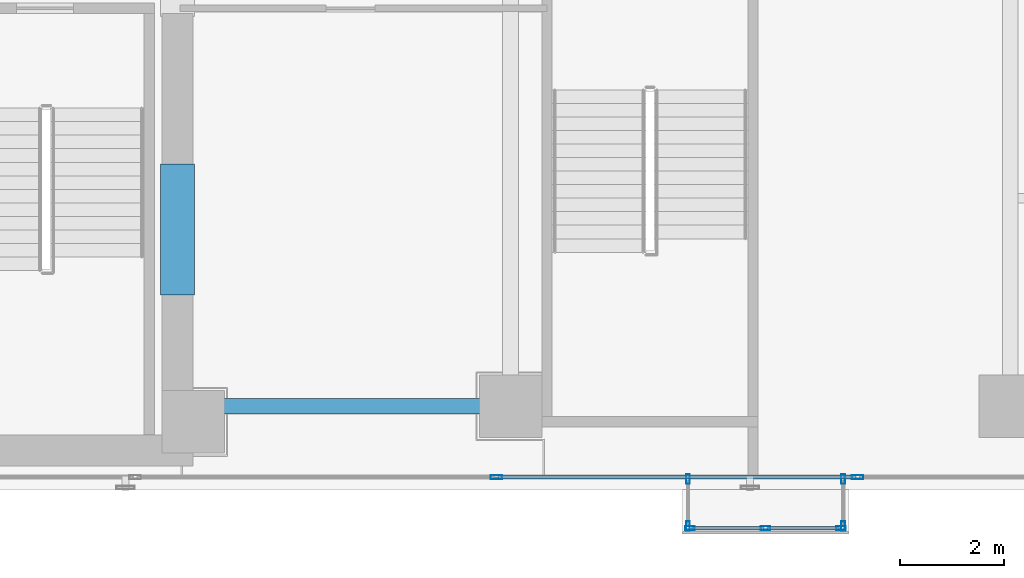
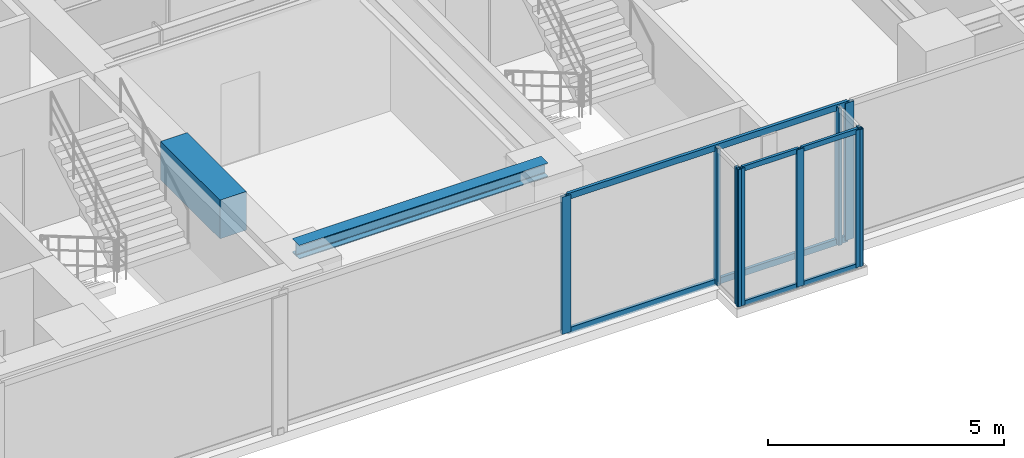
# One storey, part 4 of 24: 15 members, 2 beams, 4 elements without a shape of their own.
"""IFC4 building model written with IfcOpenShell, lengths in metres."""

from ifc_helpers import new_model, si_unit, direction, frame, origin, origin_with_axes, origin_2d, place, context, subcontext, project, spatial, rectangle, hollow_rectangle, i_section, extrude, source, transform, mapped, material, layer, layer_set, material_profile, profile_set, type_object, element, aggregate, save


model = new_model("IFC4")

# Units and contexts
model_context = context("Model", 3, precision=1e-05, world=origin(), true_north=direction((0.0, 1.0)))
body_context = subcontext(model_context, "Body", "Model", "MODEL_VIEW")
ifc_project = project(units=[si_unit("LENGTHUNIT", "METRE"), si_unit("AREAUNIT", "SQUARE_METRE"), si_unit("VOLUMEUNIT", "CUBIC_METRE"), si_unit("PLANEANGLEUNIT", "RADIAN"), si_unit("MASSUNIT", "GRAM", prefix="KILO")], contexts=[model_context])

# Site, building, storey
site_placement = place(None, origin())
site = spatial("IfcSite", under=ifc_project, at=site_placement, CompositionType="ELEMENT")
building_placement = place(site_placement, origin())
building = spatial("IfcBuilding", under=site, at=building_placement, Name="Kolvaren Waterfront Exchange", CompositionType="ELEMENT")
storey_placement = place(building_placement, frame((0.0, 0.0, 172.800048828125)))
storey = spatial("IfcBuildingStorey", under=building, at=storey_placement, Name="L44", CompositionType="ELEMENT", Elevation=172.800048828125)

# Beams
ifc_material_1 = material(Name="Steel S355", Category="steel")
ifc_material_profile_1 = material_profile(ifc_material_1, i_section(OverallWidth=0.300048828125, OverallDepth=0.360107421875, WebThickness=0.012451171875, FlangeThickness=0.0224609375, FilletRadius=0.027099609375, at=origin_2d()), Name="HEB360")
ifc_profile_set_1 = profile_set([ifc_material_profile_1], Name="Steel S355")
beam_type_1 = type_object("IfcBeamType", Name="STR-BM-HEB360", PredefinedType="SPANDREL", material=ifc_profile_set_1)
beam_1_placement = place(storey_placement, frame((21.10009765625, 5.199951171875, 3.3798828125), z_axis=(1.0, 0.0, 0.0), x_axis=(0.0, 1.0, 0.0)))
element("IfcBeam", 1, at=beam_1_placement, inside=storey, type_object=beam_type_1, Name="L44 east-arm spandrel S1", PredefinedType="SPANDREL", context=body_context, shape_type="SweptSolid", body=[
    extrude(i_section(OverallWidth=0.300048828125, OverallDepth=0.360107421875, WebThickness=0.012451171875, FlangeThickness=0.0224609375, FilletRadius=0.027099609375, at=origin_2d()), origin(), (0.0, 0.0, 1.0), 6.099853515625),
])
ifc_material_2 = material(Name="Concrete C60/75", Category="concrete")
ifc_material_profile_2 = material_profile(ifc_material_2, rectangle(XDim=0.64990234375, YDim=1.0, at=origin_2d()), Name="RC-CB-1000x650")
ifc_profile_set_2 = profile_set([ifc_material_profile_2], Name="Concrete C60/75")
beam_type_2 = type_object("IfcBeamType", Name="STR-CB-1000", PredefinedType="SPANDREL", material=ifc_profile_set_2)
beam_2_placement = place(storey_placement, frame((20.800048828125, 7.340087890625, 3.06005859375), z_axis=(0.0, 1.0, 0.0), x_axis=(-1.0, 0.0, 0.0)))
element("IfcBeam", 2, at=beam_2_placement, inside=storey, type_object=beam_type_2, Name="L44 core coupling beam 1", PredefinedType="SPANDREL", context=body_context, shape_type="SweptSolid", body=[
    extrude(rectangle(XDim=0.64990234375, YDim=1.0, at=origin_2d()), origin(), (0.0, 0.0, 1.0), 2.52001953125),
])

# Curtain wall, members
ifc_material_3 = material(Name="Anodised bronze aluminium 6063-T6", Category="aluminium")
ifc_layer_1 = layer(ifc_material_3, 0.219970703125, Name="Anodised bronze aluminium 6063-T6")
ifc_layer_set_1 = layer_set([ifc_layer_1], Name="Anodised bronze aluminium 6063-T6")
curtain_wall_type_1 = type_object("IfcCurtainWallType", Name="ARC-CW-SYS3", PredefinedType="USERDEFINED", material=ifc_layer_set_1)
curtain_wall_1_placement = place(storey_placement, origin())
curtain_wall_1 = element("IfcCurtainWall", 3, at=curtain_wall_1_placement, inside=storey, type_object=curtain_wall_type_1, Name="L44 stick curtain wall CW3 (CW-L44-BOX)", ObjectType="STICK CURTAIN WALL", PredefinedType="USERDEFINED")
ifc_material_profile_3 = material_profile(ifc_material_3, hollow_rectangle(XDim=0.06494140625, YDim=0.1298828125, WallThickness=0.00390625, at=origin_2d()), Name="ALU-TRN-130x65x4")
ifc_profile_set_3 = profile_set([ifc_material_profile_3], Name="Anodised bronze aluminium 6063-T6")
member_type_1 = type_object("IfcMemberType", Name="ARC-CWT-130", PredefinedType="USERDEFINED", material=ifc_profile_set_3)
shared_shape_1 = source(origin_with_axes(), body_context, "Body", "SweptSolid", [
    extrude(hollow_rectangle(XDim=0.06494140625, YDim=0.1298828125, WallThickness=0.00390625, at=origin_2d()), origin(), (0.0, 0.0, 1.0), 1.37744140625),
])
member_1_placement = place(storey_placement, frame((30.68505859375, 2.860107421875, 0.032470703125), z_axis=(1.0, 0.0, 0.0), x_axis=(0.0, 1.0, 0.0)))
member_1 = element("IfcMember", 4, at=member_1_placement, type_object=member_type_1, Name="CW3 transom 1.1", ObjectType="TRANSOM", PredefinedType="USERDEFINED", context=body_context, shape_type="MappedRepresentation", body=[
    mapped(shared_shape_1, transform((0.0, 0.0, 0.0), x_axis=(1.0, 0.0, 0.0), y_axis=(0.0, 1.0, 0.0), z_axis=(0.0, 0.0, 1.0), scale=1.0)),
])
member_2_placement = place(storey_placement, frame((30.68505859375, 2.860107421875, 3.52734375), z_axis=(1.0, 0.0, 0.0), x_axis=(0.0, 1.0, 0.0)))
member_2 = element("IfcMember", 5, at=member_2_placement, type_object=member_type_1, Name="CW3 transom 1.2", ObjectType="TRANSOM", PredefinedType="USERDEFINED", context=body_context, shape_type="MappedRepresentation", body=[
    mapped(shared_shape_1, transform((0.0, 0.0, 0.0), x_axis=(1.0, 0.0, 0.0), y_axis=(0.0, 1.0, 0.0), z_axis=(0.0, 0.0, 1.0), scale=1.0)),
])
member_3_placement = place(storey_placement, frame((32.137451171875, 2.860107421875, 0.032470703125), z_axis=(1.0, 0.0, 0.0), x_axis=(0.0, 1.0, 0.0)))
member_3 = element("IfcMember", 6, at=member_3_placement, type_object=member_type_1, Name="CW3 transom 2.1", ObjectType="TRANSOM", PredefinedType="USERDEFINED", context=body_context, shape_type="MappedRepresentation", body=[
    mapped(shared_shape_1, transform((0.0, 0.0, 0.0), x_axis=(1.0, 0.0, 0.0), y_axis=(0.0, 1.0, 0.0), z_axis=(0.0, 0.0, 1.0), scale=1.0)),
])
member_4_placement = place(storey_placement, frame((32.137451171875, 2.860107421875, 3.52734375), z_axis=(1.0, 0.0, 0.0), x_axis=(0.0, 1.0, 0.0)))
member_4 = element("IfcMember", 7, at=member_4_placement, type_object=member_type_1, Name="CW3 transom 2.2", ObjectType="TRANSOM", PredefinedType="USERDEFINED", context=body_context, shape_type="MappedRepresentation", body=[
    mapped(shared_shape_1, transform((0.0, 0.0, 0.0), x_axis=(1.0, 0.0, 0.0), y_axis=(0.0, 1.0, 0.0), z_axis=(0.0, 0.0, 1.0), scale=1.0)),
])

curtain_wall_2_placement = place(storey_placement, origin())
curtain_wall_2 = element("IfcCurtainWall", 8, at=curtain_wall_2_placement, inside=storey, type_object=curtain_wall_type_1, Name="L44 stick curtain wall CW3 (CW-L44-BOX-W)", ObjectType="STICK CURTAIN WALL", PredefinedType="USERDEFINED")
ifc_material_profile_4 = material_profile(ifc_material_3, hollow_rectangle(XDim=0.074951171875, YDim=0.179931640625, WallThickness=0.00439453125, at=origin_2d()), Name="ALU-MUL-180x75x4.5")
ifc_profile_set_4 = profile_set([ifc_material_profile_4], Name="Anodised bronze aluminium 6063-T6")
member_type_2 = type_object("IfcMemberType", Name="ARC-CWM-180", PredefinedType="MULLION", material=ifc_profile_set_4)
shared_shape_2 = source(origin_with_axes(), body_context, "Body", "SweptSolid", [
    extrude(hollow_rectangle(XDim=0.074951171875, YDim=0.179931640625, WallThickness=0.00439453125, at=origin_2d()), origin(), (0.0, 0.0, 1.0), 3.56005859375),
])
member_5_placement = place(storey_placement, frame((30.610107421875, 3.802490234375, 0.0), z_axis=(0.0, 0.0, 1.0), x_axis=(1.0, 0.0, 0.0)))
member_5 = element("IfcMember", 9, at=member_5_placement, type_object=member_type_2, Name="CW3 mullion 1", PredefinedType="MULLION", context=body_context, shape_type="MappedRepresentation", body=[
    mapped(shared_shape_2, transform((0.0, 0.0, 0.0), x_axis=(1.0, 0.0, 0.0), y_axis=(0.0, 1.0, 0.0), z_axis=(0.0, 0.0, 1.0), scale=1.0)),
])
member_6_placement = place(storey_placement, frame((30.610107421875, 2.8974609375, 0.0), z_axis=(0.0, 0.0, 1.0), x_axis=(1.0, 0.0, 0.0)))
member_6 = element("IfcMember", 10, at=member_6_placement, type_object=member_type_2, Name="CW3 mullion 2", PredefinedType="MULLION", context=body_context, shape_type="MappedRepresentation", body=[
    mapped(shared_shape_2, transform((0.0, 0.0, 0.0), x_axis=(1.0, 0.0, 0.0), y_axis=(0.0, 1.0, 0.0), z_axis=(0.0, 0.0, 1.0), scale=1.0)),
])
aggregate(curtain_wall_2, [member_5, member_6])

# Member
member_7_placement = place(storey_placement, frame((30.6474609375, 2.860107421875, 0.0), z_axis=(0.0, 0.0, 1.0), x_axis=(0.0, 1.0, 0.0)))
member_7 = element("IfcMember", 11, at=member_7_placement, type_object=member_type_2, Name="CW3 mullion 1", PredefinedType="MULLION", context=body_context, shape_type="MappedRepresentation", body=[
    mapped(shared_shape_2, transform((0.0, 0.0, 0.0), x_axis=(1.0, 0.0, 0.0), y_axis=(0.0, 1.0, 0.0), z_axis=(0.0, 0.0, 1.0), scale=1.0)),
])

member_8_placement = place(storey_placement, frame((32.10009765625, 2.860107421875, 0.0), z_axis=(0.0, 0.0, 1.0), x_axis=(0.0, 1.0, 0.0)))
member_8 = element("IfcMember", 12, at=member_8_placement, type_object=member_type_2, Name="CW3 mullion 2", PredefinedType="MULLION", context=body_context, shape_type="MappedRepresentation", body=[
    mapped(shared_shape_2, transform((0.0, 0.0, 0.0), x_axis=(1.0, 0.0, 0.0), y_axis=(0.0, 1.0, 0.0), z_axis=(0.0, 0.0, 1.0), scale=1.0)),
])

member_9_placement = place(storey_placement, frame((33.552490234375, 2.860107421875, 0.0), z_axis=(0.0, 0.0, 1.0), x_axis=(0.0, 1.0, 0.0)))
member_9 = element("IfcMember", 13, at=member_9_placement, type_object=member_type_2, Name="CW3 mullion 3", PredefinedType="MULLION", context=body_context, shape_type="MappedRepresentation", body=[
    mapped(shared_shape_2, transform((0.0, 0.0, 0.0), x_axis=(1.0, 0.0, 0.0), y_axis=(0.0, 1.0, 0.0), z_axis=(0.0, 0.0, 1.0), scale=1.0)),
])

aggregate(curtain_wall_1, [member_7, member_8, member_9, member_1, member_2, member_3, member_4])

# Curtain wall, members
curtain_wall_3_placement = place(storey_placement, origin())
curtain_wall_3 = element("IfcCurtainWall", 14, at=curtain_wall_3_placement, inside=storey, type_object=curtain_wall_type_1, Name="L44 stick curtain wall CW3 (CW-L44-BOX-E)", ObjectType="STICK CURTAIN WALL", PredefinedType="USERDEFINED")
member_10_placement = place(storey_placement, frame((33.590087890625, 2.8974609375, 0.0), z_axis=(0.0, 0.0, 1.0), x_axis=(-1.0, 0.0, 0.0)))
member_10 = element("IfcMember", 15, at=member_10_placement, type_object=member_type_2, Name="CW3 mullion 1", PredefinedType="MULLION", context=body_context, shape_type="MappedRepresentation", body=[
    mapped(shared_shape_2, transform((0.0, 0.0, 0.0), x_axis=(1.0, 0.0, 0.0), y_axis=(0.0, 1.0, 0.0), z_axis=(0.0, 0.0, 1.0), scale=1.0)),
])
member_11_placement = place(storey_placement, frame((33.590087890625, 3.802490234375, 0.0), z_axis=(0.0, 0.0, 1.0), x_axis=(-1.0, 0.0, 0.0)))
member_11 = element("IfcMember", 16, at=member_11_placement, type_object=member_type_2, Name="CW3 mullion 2", PredefinedType="MULLION", context=body_context, shape_type="MappedRepresentation", body=[
    mapped(shared_shape_2, transform((0.0, 0.0, 0.0), x_axis=(1.0, 0.0, 0.0), y_axis=(0.0, 1.0, 0.0), z_axis=(0.0, 0.0, 1.0), scale=1.0)),
])
aggregate(curtain_wall_3, [member_10, member_11])

ifc_layer_2 = layer(ifc_material_3, 0.219970703125, Name="Anodised bronze aluminium 6063-T6")
ifc_layer_set_2 = layer_set([ifc_layer_2], Name="Anodised bronze aluminium 6063-T6")
curtain_wall_type_2 = type_object("IfcCurtainWallType", Name="ARC-CW-SYS1", PredefinedType="USERDEFINED", material=ifc_layer_set_2)
curtain_wall_4_placement = place(storey_placement, origin())
curtain_wall_4 = element("IfcCurtainWall", 17, at=curtain_wall_4_placement, inside=storey, type_object=curtain_wall_type_2, Name="L44 stick curtain wall CW1 (CW-L44-S)", ObjectType="STICK CURTAIN WALL", PredefinedType="USERDEFINED")
ifc_material_4 = material(Name="Anodised aluminium 6063-T6", Category="aluminium")
ifc_material_profile_5 = material_profile(ifc_material_4, hollow_rectangle(XDim=0.080078125, YDim=0.219970703125, WallThickness=0.0048828125, at=origin_2d()), Name="ALU-MUL-220x80x5")
ifc_profile_set_5 = profile_set([ifc_material_profile_5], Name="Anodised aluminium 6063-T6")
member_type_3 = type_object("IfcMemberType", Name="ARC-CWM-220", PredefinedType="MULLION", material=ifc_profile_set_5)
shared_shape_3 = source(origin_with_axes(), body_context, "Body", "SweptSolid", [
    extrude(hollow_rectangle(XDim=0.080078125, YDim=0.219970703125, WallThickness=0.0048828125, at=origin_2d()), origin(), (0.0, 0.0, 1.0), 3.56005859375),
])
member_12_placement = place(storey_placement, frame((26.928466796875, 3.840087890625, 0.0), z_axis=(0.0, 0.0, 1.0), x_axis=(0.0, 1.0, 0.0)))
member_12 = element("IfcMember", 18, at=member_12_placement, type_object=member_type_3, Name="CW1 mullion 4", PredefinedType="MULLION", context=body_context, shape_type="MappedRepresentation", body=[
    mapped(shared_shape_3, transform((0.0, 0.0, 0.0), x_axis=(1.0, 0.0, 0.0), y_axis=(0.0, 1.0, 0.0), z_axis=(0.0, 0.0, 1.0), scale=1.0)),
])
member_13_placement = place(storey_placement, frame((33.871337890625, 3.840087890625, 0.0), z_axis=(0.0, 0.0, 1.0), x_axis=(0.0, 1.0, 0.0)))
member_13 = element("IfcMember", 19, at=member_13_placement, type_object=member_type_3, Name="CW1 mullion 5", PredefinedType="MULLION", context=body_context, shape_type="MappedRepresentation", body=[
    mapped(shared_shape_3, transform((0.0, 0.0, 0.0), x_axis=(1.0, 0.0, 0.0), y_axis=(0.0, 1.0, 0.0), z_axis=(0.0, 0.0, 1.0), scale=1.0)),
])
ifc_material_profile_6 = material_profile(ifc_material_4, hollow_rectangle(XDim=0.074951171875, YDim=0.159912109375, WallThickness=0.00439453125, at=origin_2d()), Name="ALU-TRN-160x75x4.5")
ifc_profile_set_6 = profile_set([ifc_material_profile_6], Name="Anodised aluminium 6063-T6")
member_type_4 = type_object("IfcMemberType", Name="ARC-CWT-160", PredefinedType="USERDEFINED", material=ifc_profile_set_6)
shared_shape_4 = source(origin_with_axes(), body_context, "Body", "SweptSolid", [
    extrude(hollow_rectangle(XDim=0.074951171875, YDim=0.159912109375, WallThickness=0.00439453125, at=origin_2d()), origin(), (0.0, 0.0, 1.0), 6.863037109375),
])
member_14_placement = place(storey_placement, frame((26.968505859375, 3.840087890625, 0.037353515625), z_axis=(1.0, 0.0, 0.0), x_axis=(0.0, 1.0, 0.0)))
member_14 = element("IfcMember", 20, at=member_14_placement, type_object=member_type_4, Name="CW1 transom 4.1", ObjectType="TRANSOM", PredefinedType="USERDEFINED", context=body_context, shape_type="MappedRepresentation", body=[
    mapped(shared_shape_4, transform((0.0, 0.0, 0.0), x_axis=(1.0, 0.0, 0.0), y_axis=(0.0, 1.0, 0.0), z_axis=(0.0, 0.0, 1.0), scale=1.0)),
])
member_15_placement = place(storey_placement, frame((26.968505859375, 3.840087890625, 3.5224609375), z_axis=(1.0, 0.0, 0.0), x_axis=(0.0, 1.0, 0.0)))
member_15 = element("IfcMember", 21, at=member_15_placement, type_object=member_type_4, Name="CW1 transom 4.2", ObjectType="TRANSOM", PredefinedType="USERDEFINED", context=body_context, shape_type="MappedRepresentation", body=[
    mapped(shared_shape_4, transform((0.0, 0.0, 0.0), x_axis=(1.0, 0.0, 0.0), y_axis=(0.0, 1.0, 0.0), z_axis=(0.0, 0.0, 1.0), scale=1.0)),
])
aggregate(curtain_wall_4, [member_12, member_13, member_14, member_15])

save(model, "model.ifc")
